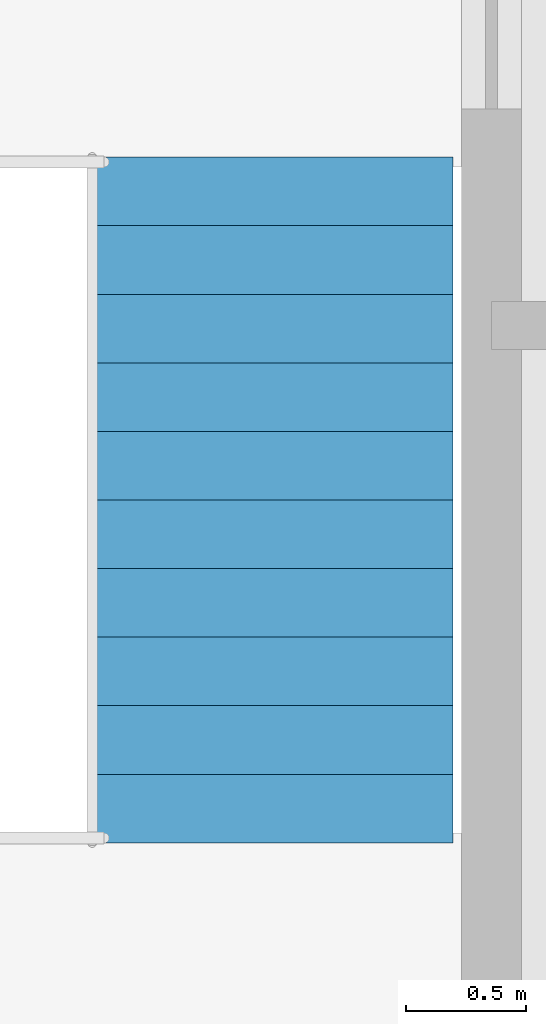
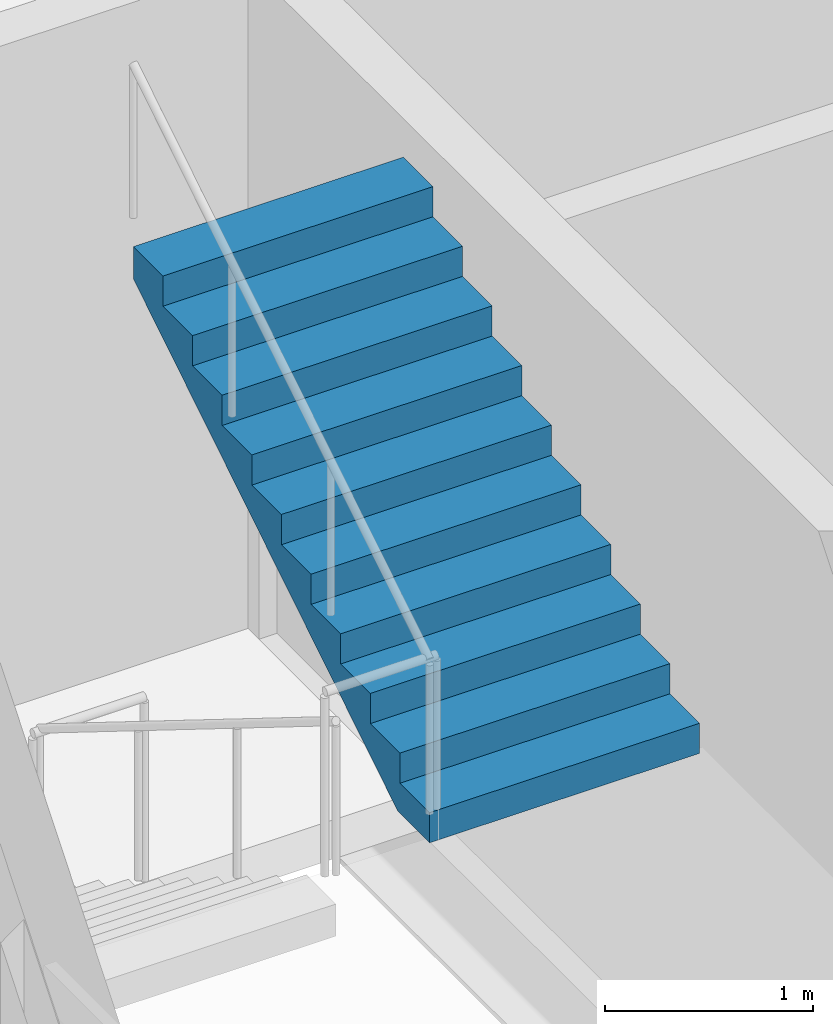
# One storey, part 6 of 7: 1 stair flight, 1 element without a shape of its own.
"""IFC4 building model written with IfcOpenShell, lengths in metres."""

from ifc_helpers import new_model, si_unit, direction, frame, origin, place, context, subcontext, project, spatial, polyline, outline, extrude, material, type_object, element, aggregate, save


model = new_model("IFC4")

# Units and contexts
model_context = context("Model", 3, precision=1e-05, world=origin(), true_north=direction((0.0, 1.0)))
body_context = subcontext(model_context, "Body", "Model", "MODEL_VIEW")
ifc_project = project(units=[si_unit("LENGTHUNIT", "METRE"), si_unit("AREAUNIT", "SQUARE_METRE"), si_unit("VOLUMEUNIT", "CUBIC_METRE"), si_unit("PLANEANGLEUNIT", "RADIAN"), si_unit("MASSUNIT", "GRAM", prefix="KILO")], contexts=[model_context])

# Site, building, storey
site_placement = place(None, origin())
site = spatial("IfcSite", under=ifc_project, at=site_placement, CompositionType="ELEMENT")
building_placement = place(site_placement, origin())
building = spatial("IfcBuilding", under=site, at=building_placement, Name="Mawjdan Bourse Tower", CompositionType="ELEMENT")
storey_placement = place(building_placement, frame((0.0, 0.0, 93.300048828125)))
storey = spatial("IfcBuildingStorey", under=building, at=storey_placement, Name="L21", CompositionType="ELEMENT", Elevation=93.300048828125)

# Stair, stair flight
ifc_material = material(Name="Concrete C50/60", Category="concrete")
stair_type = type_object("IfcStairType", Name="STR-CORE-1500", PredefinedType="HALF_TURN_STAIR", material=ifc_material)
stair_placement = place(storey_placement, origin())
stair = element("IfcStair", 1, at=stair_placement, inside=storey, type_object=stair_type, Name="L21 Exit Stair 3 (North Wing)", PredefinedType="HALF_TURN_STAIR")
stair_flight_type = type_object("IfcStairFlightType", Name="SFL-RC-1500", PredefinedType="STRAIGHT", material=ifc_material)
stair_flight_placement = place(storey_placement, frame((9.610107421875, 24.64990234375, 1.949951171875), z_axis=(0.0, 0.0, 1.0), x_axis=(0.0, 1.0, 0.0)))
stair_flight = element("IfcStairFlight", 2, at=stair_flight_placement, type_object=stair_flight_type, Name="ST3-L21 flight 2", NumberOfRisers=11, NumberOfTreads=10, PredefinedType="STRAIGHT", RiserHeight=0.177273, TreadLength=0.285, context=body_context, shape_type="SweptSolid", body=[
    extrude(outline(polyline([(0.0, 0.0), (0.0, 0.17724609375), (0.284912109375, 0.17724609375), (0.284912109375, 0.3544921875), (0.570068359375, 0.3544921875), (0.570068359375, 0.53173828125), (0.85498046875, 0.53173828125), (0.85498046875, 0.708984375), (1.139892578125, 0.708984375), (1.139892578125, 0.886474609375), (1.425048828125, 0.886474609375), (1.425048828125, 1.063720703125), (1.7099609375, 1.063720703125), (1.7099609375, 1.240966796875), (1.9951171875, 1.240966796875), (1.9951171875, 1.418212890625), (2.280029296875, 1.418212890625), (2.280029296875, 1.595458984375), (2.56494140625, 1.595458984375), (2.56494140625, 1.772705078125), (2.85009765625, 1.772705078125), (2.85009765625, 1.949951171875), (2.85009765625, 1.58447265625), (0.302734375, 0.0), (0.0, 0.0)])), frame((0.0, 0.75, 0.0), z_axis=(0.0, -1.0, 0.0), x_axis=(1.0, 0.0, 0.0)), (0.0, 0.0, 1.0), 1.5),
])
aggregate(stair, [stair_flight])

save(model, "model.ifc")
